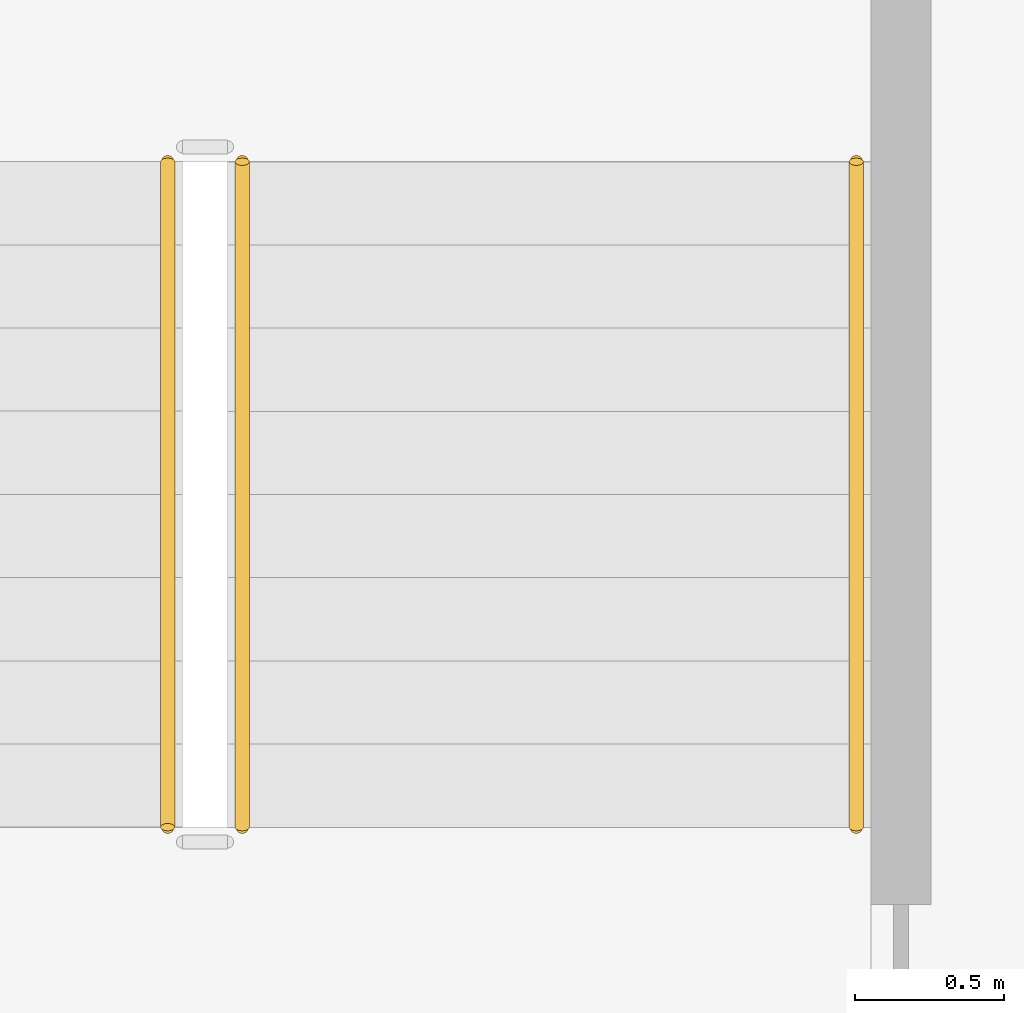
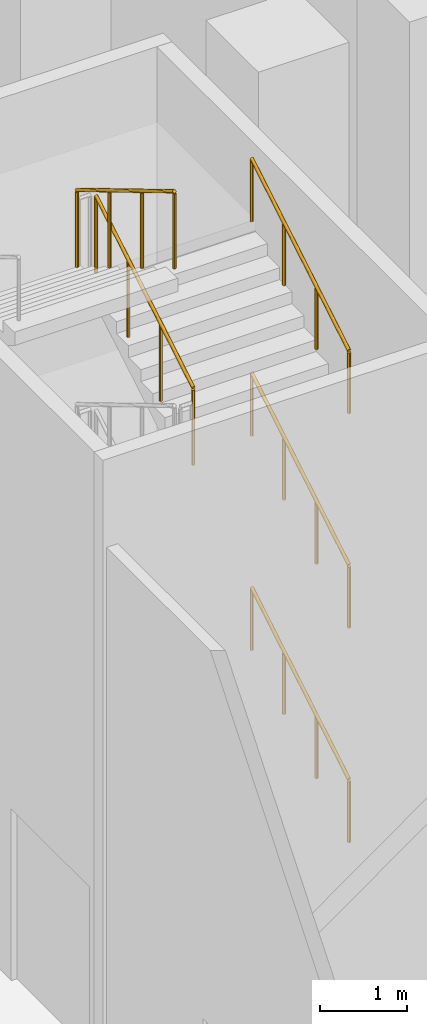
# One storey, part 23 of 25: 5 railings.
"""IFC4 building model written with IfcOpenShell, lengths in metres."""

from ifc_helpers import new_model, si_unit, direction, frame, origin, origin_2d, place, context, subcontext, project, spatial, circle, extrude, material, type_object, element, save


model = new_model("IFC4")

# Units and contexts
model_context = context("Model", 3, precision=1e-05, world=origin(), true_north=direction((0.0, 1.0)))
body_context = subcontext(model_context, "Body", "Model", "MODEL_VIEW")
ifc_project = project(units=[si_unit("LENGTHUNIT", "METRE"), si_unit("AREAUNIT", "SQUARE_METRE"), si_unit("VOLUMEUNIT", "CUBIC_METRE"), si_unit("PLANEANGLEUNIT", "RADIAN"), si_unit("MASSUNIT", "GRAM", prefix="KILO")], contexts=[model_context])

# Site, building, storey
site_placement = place(None, origin())
site = spatial("IfcSite", under=ifc_project, at=site_placement, CompositionType="ELEMENT")
building_placement = place(site_placement, origin())
building = spatial("IfcBuilding", under=site, at=building_placement, Name="Calabash Gate Tower", CompositionType="ELEMENT")
storey_placement = place(building_placement, frame((0.0, 0.0, 20.0)))
storey = spatial("IfcBuildingStorey", under=building, at=storey_placement, Name="L02", CompositionType="ELEMENT", Elevation=20.0)

# Railings
ifc_material_1 = material(Name="Black powder-coated steel balusters", Category="steel")
railing_type_1 = type_object("IfcRailingType", Name="Stair guard RL1100", PredefinedType="GUARDRAIL", material=ifc_material_1)
railing_1_placement = place(storey_placement, frame((36.06005859375, 16.159912109375, 6.166748046875)))
element("IfcRailing", 1, at=railing_1_placement, inside=storey, type_object=railing_type_1, Name="L02 PS10 stair guard 9", PredefinedType="GUARDRAIL", context=body_context, shape_type="SweptSolid", body=[
    extrude(circle(Radius=0.02392578125, at=origin_2d()), frame((0.0, 0.0, 1.076171875), z_axis=(0.0, 0.8585185817, 0.512782453753), x_axis=(-1.0, 0.0, 0.0)), (0.0, 0.0, 1.0), 2.60009765625),
    extrude(circle(Radius=0.02099609375, at=origin_2d()), origin(), (0.0, 0.0, 1.0), 1.052001953125),
    extrude(circle(Radius=0.02099609375, at=origin_2d()), frame((0.0, 0.744140625, 0.4443359375)), (0.0, 0.0, 1.0), 1.052001953125),
    extrude(circle(Radius=0.02099609375, at=origin_2d()), frame((0.0, 1.488037109375, 0.888916015625)), (0.0, 0.0, 1.0), 1.052001953125),
    extrude(circle(Radius=0.02099609375, at=origin_2d()), frame((0.0, 2.232177734375, 1.333251953125)), (0.0, 0.0, 1.0), 1.052001953125),
])
railing_2_placement = place(storey_placement, frame((35.81005859375, 18.39208984375, 7.666748046875)))
element("IfcRailing", 2, at=railing_2_placement, inside=storey, type_object=railing_type_1, Name="L02 PS10 stair guard 11", PredefinedType="GUARDRAIL", context=body_context, shape_type="SweptSolid", body=[
    extrude(circle(Radius=0.02392578125, at=origin_2d()), frame((0.0, 0.0, 1.076171875), z_axis=(0.0, -0.8585185817, 0.512782453753), x_axis=(1.0, 0.0, 0.0)), (0.0, 0.0, 1.0), 2.60009765625),
    extrude(circle(Radius=0.02099609375, at=origin_2d()), origin(), (0.0, 0.0, 1.0), 1.052001953125),
    extrude(circle(Radius=0.02099609375, at=origin_2d()), frame((0.0, -0.744140625, 0.4443359375)), (0.0, 0.0, 1.0), 1.052001953125),
    extrude(circle(Radius=0.02099609375, at=origin_2d()), frame((0.0, -1.488037109375, 0.888916015625)), (0.0, 0.0, 1.0), 1.052001953125),
    extrude(circle(Radius=0.02099609375, at=origin_2d()), frame((0.0, -2.232177734375, 1.333251953125)), (0.0, 0.0, 1.0), 1.052001953125),
])
ifc_material_2 = material(Name="Black powder-coated steel tube 48 mm", Category="steel")
railing_type_2 = type_object("IfcRailingType", Name="Stair handrail RL900", PredefinedType="HANDRAIL", material=ifc_material_2)
for number, where, name in (
    (3, (38.1201171875, 16.159912109375, 0.166748046875), "L02 PS10 stair handrail 1"),
    (4, (38.1201171875, 16.159912109375, 3.166748046875), "L02 PS10 stair handrail 3"),
    (5, (38.1201171875, 16.159912109375, 6.166748046875), "L02 PS10 stair handrail 5"),
):
    element("IfcRailing", number, at=place(storey_placement, frame(where)), inside=storey, type_object=railing_type_2, Name=name, PredefinedType="HANDRAIL", context=body_context, shape_type="SweptSolid", body=[
        extrude(circle(Radius=0.02392578125, at=origin_2d()), frame((0.0, 0.0, 0.8759765625), z_axis=(0.0, 0.8585185817, 0.512782453753), x_axis=(-1.0, 0.0, 0.0)), (0.0, 0.0, 1.0), 2.60009765625),
        extrude(circle(Radius=0.02099609375, at=origin_2d()), origin(), (0.0, 0.0, 1.0), 0.851806640625),
        extrude(circle(Radius=0.02099609375, at=origin_2d()), frame((0.0, 0.744140625, 0.4443359375)), (0.0, 0.0, 1.0), 0.851806640625),
        extrude(circle(Radius=0.02099609375, at=origin_2d()), frame((0.0, 1.488037109375, 0.888916015625)), (0.0, 0.0, 1.0), 0.851806640625),
        extrude(circle(Radius=0.02099609375, at=origin_2d()), frame((0.0, 2.232177734375, 1.333251953125)), (0.0, 0.0, 1.0), 0.851806640625),
    ])

save(model, "model.ifc")
